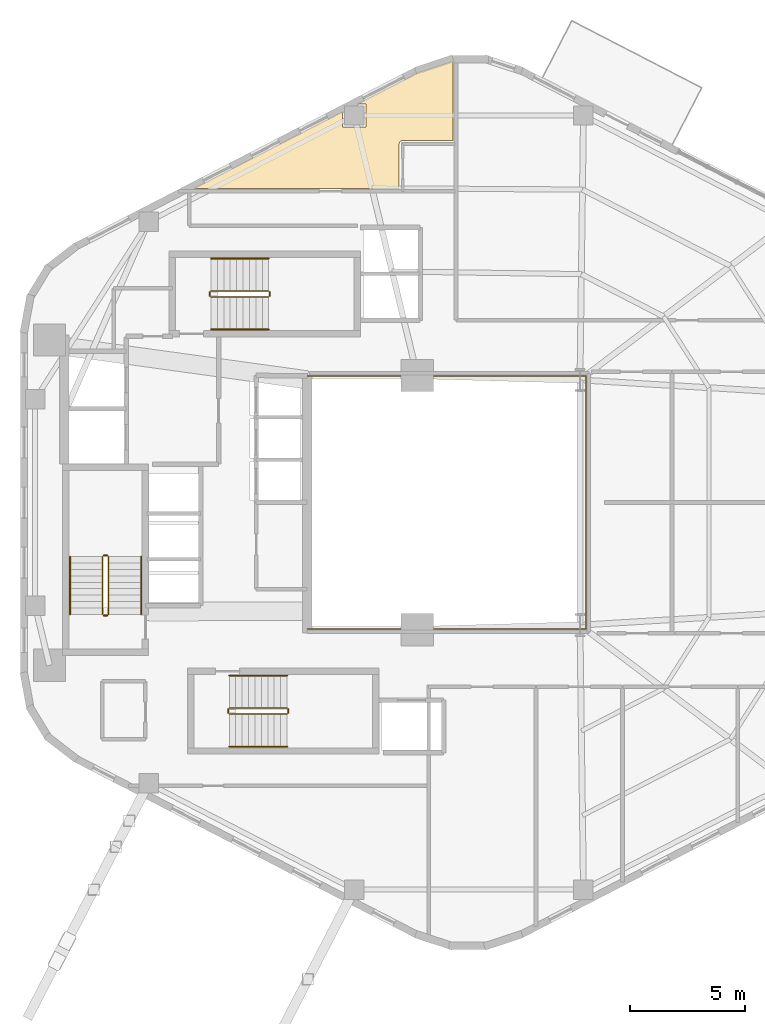
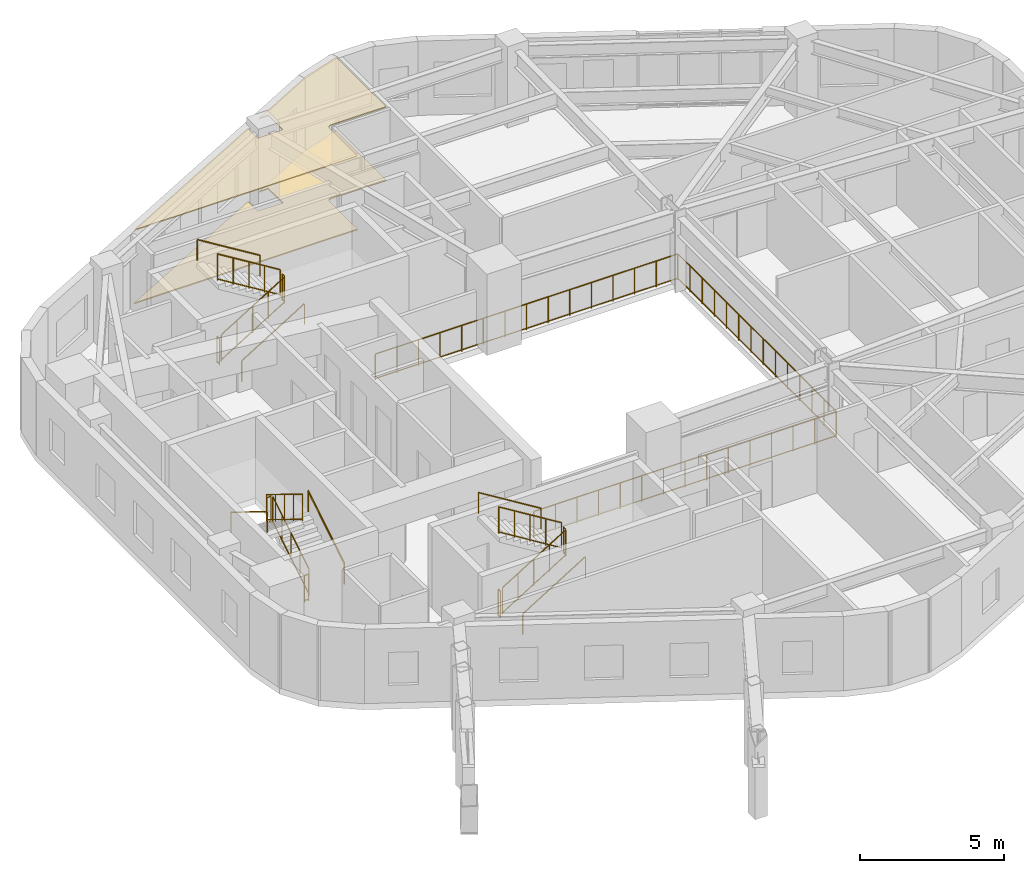
# One storey, part 10 of 11: 19 railings, 2 coverings.
"""IFC4 building model written with IfcOpenShell, lengths in metres."""

from ifc_helpers import new_model, si_unit, direction, frame, origin, origin_2d, place, context, subcontext, project, spatial, polyline, circle, outline, extrude, material, layer, layer_set, type_object, element, save


model = new_model("IFC4")

# Units and contexts
model_context = context("Model", 3, precision=1e-05, world=origin(), true_north=direction((0.0, 1.0)))
body_context = subcontext(model_context, "Body", "Model", "MODEL_VIEW")
ifc_project = project(units=[si_unit("LENGTHUNIT", "METRE"), si_unit("AREAUNIT", "SQUARE_METRE"), si_unit("VOLUMEUNIT", "CUBIC_METRE"), si_unit("PLANEANGLEUNIT", "RADIAN"), si_unit("MASSUNIT", "GRAM", prefix="KILO"), si_unit("THERMODYNAMICTEMPERATUREUNIT", "KELVIN"), si_unit("POWERUNIT", "WATT")], contexts=[model_context])

# Site, building, storey
site_placement = place(None, origin())
site = spatial("IfcSite", under=ifc_project, at=site_placement, CompositionType="ELEMENT")
building_placement = place(site_placement, origin())
building = spatial("IfcBuilding", under=site, at=building_placement, Name="Skarre Station Tower", CompositionType="ELEMENT")
storey_placement = place(building_placement, frame((0.0, 0.0, 170.550048828125)))
storey = spatial("IfcBuildingStorey", under=building, at=storey_placement, Name="L46", CompositionType="ELEMENT", Elevation=170.550048828125)

# Railing
ifc_material_1 = material(Name="Bronze Anodized Steel & Laminated Glass Balustrade", Category="steel")
railing_type_1 = type_object("IfcRailingType", Name="Atrium Void & Mezzanine Guard Balustrade 1120", PredefinedType="GUARDRAIL", material=ifc_material_1)
railing_1_placement = place(storey_placement, frame((27.550048828125, 18.47998046875, 0.0)))
element("IfcRailing", 1, at=railing_1_placement, inside=storey, type_object=railing_type_1, Name="L46 Atrium Void Guard Balustrade", PredefinedType="GUARDRAIL", context=body_context, shape_type="SweptSolid", body=[
    extrude(circle(Radius=0.02392578125, at=origin_2d()), frame((0.0, 0.0, 1.09619140625), z_axis=(1.0, 0.0, 0.0), x_axis=(0.0, 1.0, 0.0)), (0.0, 0.0, 1.0), 12.169921875),
    extrude(circle(Radius=0.02099609375, at=origin_2d()), frame((0.0, 0.0, 0.06005859375), z_axis=(1.0, 0.0, 0.0), x_axis=(0.0, 1.0, 0.0)), (0.0, 0.0, 1.0), 12.169921875),
    extrude(circle(Radius=0.02392578125, at=origin_2d()), frame((12.169921875, 0.0, 1.09619140625), z_axis=(0.0, 1.0, 0.0), x_axis=(-1.0, 0.0, 0.0)), (0.0, 0.0, 1.0), 11.0400390625),
    extrude(circle(Radius=0.02099609375, at=origin_2d()), frame((12.169921875, 0.0, 0.06005859375), z_axis=(0.0, 1.0, 0.0), x_axis=(-1.0, 0.0, 0.0)), (0.0, 0.0, 1.0), 11.0400390625),
    extrude(circle(Radius=0.02392578125, at=origin_2d()), frame((12.169921875, 11.0400390625, 1.09619140625), z_axis=(-1.0, 0.0, 0.0), x_axis=(0.0, -1.0, 0.0)), (0.0, 0.0, 1.0), 12.169921875),
    extrude(circle(Radius=0.02099609375, at=origin_2d()), frame((12.169921875, 11.0400390625, 0.06005859375), z_axis=(-1.0, 0.0, 0.0), x_axis=(0.0, -1.0, 0.0)), (0.0, 0.0, 1.0), 12.169921875),
    extrude(circle(Radius=0.02099609375, at=origin_2d()), origin(), (0.0, 0.0, 1.0), 1.072021484375),
    extrude(circle(Radius=0.02099609375, at=origin_2d()), frame((0.869384765625, 0.0, 0.0)), (0.0, 0.0, 1.0), 1.072021484375),
    extrude(circle(Radius=0.02099609375, at=origin_2d()), frame((1.738525390625, 0.0, 0.0)), (0.0, 0.0, 1.0), 1.072021484375),
    extrude(circle(Radius=0.02099609375, at=origin_2d()), frame((2.60791015625, 0.0, 0.0)), (0.0, 0.0, 1.0), 1.072021484375),
    extrude(circle(Radius=0.02099609375, at=origin_2d()), frame((3.47705078125, 0.0, 0.0)), (0.0, 0.0, 1.0), 1.072021484375),
    extrude(circle(Radius=0.02099609375, at=origin_2d()), frame((4.346435546875, 0.0, 0.0)), (0.0, 0.0, 1.0), 1.072021484375),
    extrude(circle(Radius=0.02099609375, at=origin_2d()), frame((5.215576171875, 0.0, 0.0)), (0.0, 0.0, 1.0), 1.072021484375),
    extrude(circle(Radius=0.02099609375, at=origin_2d()), frame((6.0849609375, 0.0, 0.0)), (0.0, 0.0, 1.0), 1.072021484375),
    extrude(circle(Radius=0.02099609375, at=origin_2d()), frame((6.954345703125, 0.0, 0.0)), (0.0, 0.0, 1.0), 1.072021484375),
    extrude(circle(Radius=0.02099609375, at=origin_2d()), frame((7.823486328125, 0.0, 0.0)), (0.0, 0.0, 1.0), 1.072021484375),
    extrude(circle(Radius=0.02099609375, at=origin_2d()), frame((8.69287109375, 0.0, 0.0)), (0.0, 0.0, 1.0), 1.072021484375),
    extrude(circle(Radius=0.02099609375, at=origin_2d()), frame((9.56201171875, 0.0, 0.0)), (0.0, 0.0, 1.0), 1.072021484375),
    extrude(circle(Radius=0.02099609375, at=origin_2d()), frame((10.431396484375, 0.0, 0.0)), (0.0, 0.0, 1.0), 1.072021484375),
    extrude(circle(Radius=0.02099609375, at=origin_2d()), frame((11.300537109375, 0.0, 0.0)), (0.0, 0.0, 1.0), 1.072021484375),
    extrude(circle(Radius=0.02099609375, at=origin_2d()), frame((12.169921875, 0.0, 0.0)), (0.0, 0.0, 1.0), 1.072021484375),
    extrude(circle(Radius=0.02099609375, at=origin_2d()), frame((12.169921875, 0.84912109375, 0.0)), (0.0, 0.0, 1.0), 1.072021484375),
    extrude(circle(Radius=0.02099609375, at=origin_2d()), frame((12.169921875, 1.698486328125, 0.0)), (0.0, 0.0, 1.0), 1.072021484375),
    extrude(circle(Radius=0.02099609375, at=origin_2d()), frame((12.169921875, 2.547607421875, 0.0)), (0.0, 0.0, 1.0), 1.072021484375),
    extrude(circle(Radius=0.02099609375, at=origin_2d()), frame((12.169921875, 3.39697265625, 0.0)), (0.0, 0.0, 1.0), 1.072021484375),
    extrude(circle(Radius=0.02099609375, at=origin_2d()), frame((12.169921875, 4.24609375, 0.0)), (0.0, 0.0, 1.0), 1.072021484375),
    extrude(circle(Radius=0.02099609375, at=origin_2d()), frame((12.169921875, 5.095458984375, 0.0)), (0.0, 0.0, 1.0), 1.072021484375),
    extrude(circle(Radius=0.02099609375, at=origin_2d()), frame((12.169921875, 5.944580078125, 0.0)), (0.0, 0.0, 1.0), 1.072021484375),
    extrude(circle(Radius=0.02099609375, at=origin_2d()), frame((12.169921875, 6.7939453125, 0.0)), (0.0, 0.0, 1.0), 1.072021484375),
    extrude(circle(Radius=0.02099609375, at=origin_2d()), frame((12.169921875, 7.64306640625, 0.0)), (0.0, 0.0, 1.0), 1.072021484375),
    extrude(circle(Radius=0.02099609375, at=origin_2d()), frame((12.169921875, 8.492431640625, 0.0)), (0.0, 0.0, 1.0), 1.072021484375),
    extrude(circle(Radius=0.02099609375, at=origin_2d()), frame((12.169921875, 9.341552734375, 0.0)), (0.0, 0.0, 1.0), 1.072021484375),
    extrude(circle(Radius=0.02099609375, at=origin_2d()), frame((12.169921875, 10.19091796875, 0.0)), (0.0, 0.0, 1.0), 1.072021484375),
    extrude(circle(Radius=0.02099609375, at=origin_2d()), frame((12.169921875, 11.0400390625, 0.0)), (0.0, 0.0, 1.0), 1.072021484375),
    extrude(circle(Radius=0.02099609375, at=origin_2d()), frame((11.300537109375, 11.0400390625, 0.0)), (0.0, 0.0, 1.0), 1.072021484375),
    extrude(circle(Radius=0.02099609375, at=origin_2d()), frame((10.431396484375, 11.0400390625, 0.0)), (0.0, 0.0, 1.0), 1.072021484375),
    extrude(circle(Radius=0.02099609375, at=origin_2d()), frame((9.56201171875, 11.0400390625, 0.0)), (0.0, 0.0, 1.0), 1.072021484375),
    extrude(circle(Radius=0.02099609375, at=origin_2d()), frame((8.69287109375, 11.0400390625, 0.0)), (0.0, 0.0, 1.0), 1.072021484375),
    extrude(circle(Radius=0.02099609375, at=origin_2d()), frame((7.823486328125, 11.0400390625, 0.0)), (0.0, 0.0, 1.0), 1.072021484375),
    extrude(circle(Radius=0.02099609375, at=origin_2d()), frame((6.954345703125, 11.0400390625, 0.0)), (0.0, 0.0, 1.0), 1.072021484375),
    extrude(circle(Radius=0.02099609375, at=origin_2d()), frame((6.0849609375, 11.0400390625, 0.0)), (0.0, 0.0, 1.0), 1.072021484375),
    extrude(circle(Radius=0.02099609375, at=origin_2d()), frame((5.215576171875, 11.0400390625, 0.0)), (0.0, 0.0, 1.0), 1.072021484375),
    extrude(circle(Radius=0.02099609375, at=origin_2d()), frame((4.346435546875, 11.0400390625, 0.0)), (0.0, 0.0, 1.0), 1.072021484375),
    extrude(circle(Radius=0.02099609375, at=origin_2d()), frame((3.47705078125, 11.0400390625, 0.0)), (0.0, 0.0, 1.0), 1.072021484375),
    extrude(circle(Radius=0.02099609375, at=origin_2d()), frame((2.60791015625, 11.0400390625, 0.0)), (0.0, 0.0, 1.0), 1.072021484375),
    extrude(circle(Radius=0.02099609375, at=origin_2d()), frame((1.738525390625, 11.0400390625, 0.0)), (0.0, 0.0, 1.0), 1.072021484375),
    extrude(circle(Radius=0.02099609375, at=origin_2d()), frame((0.869384765625, 11.0400390625, 0.0)), (0.0, 0.0, 1.0), 1.072021484375),
    extrude(circle(Radius=0.02099609375, at=origin_2d()), frame((0.0, 11.0400390625, 0.0)), (0.0, 0.0, 1.0), 1.072021484375),
])

# Coverings
ifc_material_2 = material(Name="Honed Jura Limestone & Calcium-Sulfate Access Tile", Category="masonry")
ifc_layer_1 = layer(ifc_material_2, 0.050048828125, Name="Honed Jura Limestone & Calcium-Sulfate Access Tile")
ifc_layer_set_1 = layer_set([ifc_layer_1], Name="Honed Jura Limestone & Calcium-Sulfate Access Tile")
covering_type_1 = type_object("IfcCoveringType", Name="Honed Limestone & Raised Access Floor Finish 50", PredefinedType="FLOORING", material=ifc_layer_set_1)
covering_1_placement = place(storey_placement, origin())
element("IfcCovering", 2, at=covering_1_placement, inside=storey, type_object=covering_type_1, Name="L46 Limestone Access Flooring 1", PredefinedType="FLOORING", context=body_context, shape_type="SweptSolid", body=[
    extrude(outline(polyline([(33.919921875, 39.800048828125), (33.919921875, 43.24609375), (33.845947265625, 43.24609375), (32.39208984375, 42.76806640625), (29.72705078125, 41.39306640625), (30.10302734375, 41.39306640625), (30.10302734375, 40.383056640625), (29.093017578125, 40.383056640625), (29.093017578125, 41.06591796875), (22.571044921875, 37.699951171875), (31.56005859375, 37.699951171875), (31.56005859375, 39.639892578125), (31.56005859375, 39.64404296875), (31.56005859375, 39.652099609375), (31.56103515625, 39.659912109375), (31.56201171875, 39.6669921875), (31.56396484375, 39.675048828125), (31.56591796875, 39.68310546875), (31.568115234375, 39.68994140625), (31.571044921875, 39.697998046875), (31.573974609375, 39.705078125), (31.576904296875, 39.7119140625), (31.5810546875, 39.718994140625), (31.5849609375, 39.72607421875), (31.589111328125, 39.73193359375), (31.593994140625, 39.738037109375), (31.59912109375, 39.743896484375), (31.60400390625, 39.75), (31.610107421875, 39.756103515625), (31.615966796875, 39.760986328125), (31.6220703125, 39.76611328125), (31.6279296875, 39.77099609375), (31.634033203125, 39.77490234375), (31.64111328125, 39.779052734375), (31.64794921875, 39.782958984375), (31.655029296875, 39.785888671875), (31.662109375, 39.7890625), (31.669921875, 39.7919921875), (31.677001953125, 39.7939453125), (31.68505859375, 39.7958984375), (31.693115234375, 39.798095703125), (31.699951171875, 39.799072265625), (31.7080078125, 39.800048828125), (31.716064453125, 39.800048828125), (31.719970703125, 39.800048828125), (33.919921875, 39.800048828125)])), origin(), (0.0, 0.0, 1.0), 0.050048828125),
])
ifc_material_3 = material(Name="Perforated Nordic Birch Veneer & Mineral Wool", Category="wood")
ifc_layer_2 = layer(ifc_material_3, 0.044921875, Name="Perforated Nordic Birch Veneer & Mineral Wool")
ifc_layer_set_2 = layer_set([ifc_layer_2], Name="Perforated Nordic Birch Veneer & Mineral Wool")
covering_type_2 = type_object("IfcCoveringType", Name="Nordic Birch Slatted Acoustic Suspended Ceiling 45", PredefinedType="CEILING", material=ifc_layer_set_2)
covering_2_placement = place(storey_placement, frame((0.0, 0.0, 3.114990234375)))
element("IfcCovering", 3, at=covering_2_placement, inside=storey, type_object=covering_type_2, Name="L46 Acoustic Birch Ceiling 1", PredefinedType="CEILING", context=body_context, shape_type="SweptSolid", body=[
    extrude(outline(polyline([(33.919921875, 39.800048828125), (33.919921875, 43.24609375), (33.845947265625, 43.24609375), (32.39208984375, 42.76806640625), (29.72705078125, 41.39306640625), (30.10302734375, 41.39306640625), (30.10302734375, 40.383056640625), (29.093017578125, 40.383056640625), (29.093017578125, 41.06591796875), (22.571044921875, 37.699951171875), (31.56005859375, 37.699951171875), (31.56005859375, 39.639892578125), (31.56005859375, 39.64404296875), (31.56005859375, 39.652099609375), (31.56103515625, 39.659912109375), (31.56201171875, 39.6669921875), (31.56396484375, 39.675048828125), (31.56591796875, 39.68310546875), (31.568115234375, 39.68994140625), (31.571044921875, 39.697998046875), (31.573974609375, 39.705078125), (31.576904296875, 39.7119140625), (31.5810546875, 39.718994140625), (31.5849609375, 39.72607421875), (31.589111328125, 39.73193359375), (31.593994140625, 39.738037109375), (31.59912109375, 39.743896484375), (31.60400390625, 39.75), (31.610107421875, 39.756103515625), (31.615966796875, 39.760986328125), (31.6220703125, 39.76611328125), (31.6279296875, 39.77099609375), (31.634033203125, 39.77490234375), (31.64111328125, 39.779052734375), (31.64794921875, 39.782958984375), (31.655029296875, 39.785888671875), (31.662109375, 39.7890625), (31.669921875, 39.7919921875), (31.677001953125, 39.7939453125), (31.68505859375, 39.7958984375), (31.693115234375, 39.798095703125), (31.699951171875, 39.799072265625), (31.7080078125, 39.800048828125), (31.716064453125, 39.800048828125), (31.719970703125, 39.800048828125), (33.919921875, 39.800048828125)])), origin(), (0.0, 0.0, 1.0), 0.044921875),
])

# Railings
ifc_material_4 = material(Name="Powder-Coated Tubular Steel", Category="steel")
railing_type_2 = type_object("IfcRailingType", Name="Painted Steel Ramp & Stair Handrail 920", PredefinedType="HANDRAIL", material=ifc_material_4)
railing_2_placement = place(storey_placement, frame((20.300048828125, 19.1201171875, 0.17236328125)))
element("IfcRailing", 4, at=railing_2_placement, inside=storey, type_object=railing_type_2, Name="L46 ST-1 stair handrail 1", PredefinedType="HANDRAIL", context=body_context, shape_type="SweptSolid", body=[
    extrude(circle(Radius=0.02392578125, at=origin_2d()), frame((0.0, 0.0, 0.8759765625), z_axis=(0.0, 0.851377800117, 0.52455299205), x_axis=(-1.0, 0.0, 0.0)), (0.0, 0.0, 1.0), 2.959716796875),
    extrude(circle(Radius=0.02099609375, at=origin_2d()), origin(), (0.0, 0.0, 1.0), 0.851806640625),
    extrude(circle(Radius=0.02099609375, at=origin_2d()), frame((0.0, 2.519775390625, 1.552490234375)), (0.0, 0.0, 1.0), 0.851806640625),
])
railing_3_placement = place(storey_placement, frame((17.199951171875, 21.639892578125, 1.8974609375)))
element("IfcRailing", 5, at=railing_3_placement, inside=storey, type_object=railing_type_2, Name="L46 ST-1 stair handrail 2", PredefinedType="HANDRAIL", context=body_context, shape_type="SweptSolid", body=[
    extrude(circle(Radius=0.02392578125, at=origin_2d()), frame((0.0, 0.0, 0.8759765625), z_axis=(0.0, -0.851377800117, 0.52455299205), x_axis=(1.0, 0.0, 0.0)), (0.0, 0.0, 1.0), 2.959716796875),
    extrude(circle(Radius=0.02099609375, at=origin_2d()), origin(), (0.0, 0.0, 1.0), 0.851806640625),
    extrude(circle(Radius=0.02099609375, at=origin_2d()), frame((0.0, -2.519775390625, 1.552490234375)), (0.0, 0.0, 1.0), 0.851806640625),
])
railing_4_placement = place(storey_placement, frame((24.14990234375, 13.35009765625, 0.17236328125)))
element("IfcRailing", 6, at=railing_4_placement, inside=storey, type_object=railing_type_2, Name="L46 ST-2 stair handrail 1", PredefinedType="HANDRAIL", context=body_context, shape_type="SweptSolid", body=[
    extrude(circle(Radius=0.02392578125, at=origin_2d()), frame((0.0, 0.0, 0.8759765625), z_axis=(0.851400495292, 0.0, 0.524516154772), x_axis=(0.0, 1.0, 0.0)), (0.0, 0.0, 1.0), 2.9599609375),
    extrude(circle(Radius=0.02099609375, at=origin_2d()), origin(), (0.0, 0.0, 1.0), 0.851806640625),
    extrude(circle(Radius=0.02099609375, at=origin_2d()), frame((2.52001953125, 0.0, 1.552490234375)), (0.0, 0.0, 1.0), 0.851806640625),
])
railing_5_placement = place(storey_placement, frame((26.669921875, 16.449951171875, 1.8974609375)))
element("IfcRailing", 7, at=railing_5_placement, inside=storey, type_object=railing_type_2, Name="L46 ST-2 stair handrail 2", PredefinedType="HANDRAIL", context=body_context, shape_type="SweptSolid", body=[
    extrude(circle(Radius=0.02392578125, at=origin_2d()), frame((0.0, 0.0, 0.8759765625), z_axis=(-0.851400495292, 0.0, 0.524516154772), x_axis=(0.0, -1.0, 0.0)), (0.0, 0.0, 1.0), 2.9599609375),
    extrude(circle(Radius=0.02099609375, at=origin_2d()), origin(), (0.0, 0.0, 1.0), 0.851806640625),
    extrude(circle(Radius=0.02099609375, at=origin_2d()), frame((-2.52001953125, 0.0, 1.552490234375)), (0.0, 0.0, 1.0), 0.851806640625),
])
railing_6_placement = place(storey_placement, frame((23.35009765625, 31.550048828125, 0.17236328125)))
element("IfcRailing", 8, at=railing_6_placement, inside=storey, type_object=railing_type_2, Name="L46 ST-3 stair handrail 1", PredefinedType="HANDRAIL", context=body_context, shape_type="SweptSolid", body=[
    extrude(circle(Radius=0.02392578125, at=origin_2d()), frame((0.0, 0.0, 0.8759765625), z_axis=(0.851400495292, 0.0, 0.524516154772), x_axis=(0.0, 1.0, 0.0)), (0.0, 0.0, 1.0), 2.9599609375),
    extrude(circle(Radius=0.02099609375, at=origin_2d()), origin(), (0.0, 0.0, 1.0), 0.851806640625),
    extrude(circle(Radius=0.02099609375, at=origin_2d()), frame((2.52001953125, 0.0, 1.552490234375)), (0.0, 0.0, 1.0), 0.851806640625),
])
railing_7_placement = place(storey_placement, frame((25.8701171875, 34.64990234375, 1.8974609375)))
element("IfcRailing", 9, at=railing_7_placement, inside=storey, type_object=railing_type_2, Name="L46 ST-3 stair handrail 2", PredefinedType="HANDRAIL", context=body_context, shape_type="SweptSolid", body=[
    extrude(circle(Radius=0.02392578125, at=origin_2d()), frame((0.0, 0.0, 0.8759765625), z_axis=(-0.851400495292, 0.0, 0.524516154772), x_axis=(0.0, -1.0, 0.0)), (0.0, 0.0, 1.0), 2.9599609375),
    extrude(circle(Radius=0.02099609375, at=origin_2d()), origin(), (0.0, 0.0, 1.0), 0.851806640625),
    extrude(circle(Radius=0.02099609375, at=origin_2d()), frame((-2.52001953125, 0.0, 1.552490234375)), (0.0, 0.0, 1.0), 0.851806640625),
])
railing_type_3 = type_object("IfcRailingType", Name="Painted Steel Stairwell Guardrail 1100", PredefinedType="GUARDRAIL", material=ifc_material_4)
railing_8_placement = place(storey_placement, frame((18.8798828125, 19.1201171875, 0.17236328125)))
element("IfcRailing", 10, at=railing_8_placement, inside=storey, type_object=railing_type_3, Name="L46 ST-1 stair guard 1", PredefinedType="GUARDRAIL", context=body_context, shape_type="SweptSolid", body=[
    extrude(circle(Radius=0.02392578125, at=origin_2d()), frame((0.0, 0.0, 1.1259765625), z_axis=(0.0, 0.851377800117, 0.52455299205), x_axis=(-1.0, 0.0, 0.0)), (0.0, 0.0, 1.0), 2.959716796875),
    extrude(circle(Radius=0.02099609375, at=origin_2d()), frame((0.0, 0.0, 0.06005859375), z_axis=(0.0, 0.851377800117, 0.52455299205), x_axis=(-1.0, 0.0, 0.0)), (0.0, 0.0, 1.0), 2.959716796875),
    extrude(circle(Radius=0.02099609375, at=origin_2d()), origin(), (0.0, 0.0, 1.0), 1.101806640625),
    extrude(circle(Radius=0.02099609375, at=origin_2d()), frame((0.0, 0.6298828125, 0.38818359375)), (0.0, 0.0, 1.0), 1.101806640625),
    extrude(circle(Radius=0.02099609375, at=origin_2d()), frame((0.0, 1.259765625, 0.7763671875)), (0.0, 0.0, 1.0), 1.101806640625),
    extrude(circle(Radius=0.02099609375, at=origin_2d()), frame((0.0, 1.889892578125, 1.164306640625)), (0.0, 0.0, 1.0), 1.101806640625),
    extrude(circle(Radius=0.02099609375, at=origin_2d()), frame((0.0, 2.519775390625, 1.552490234375)), (0.0, 0.0, 1.0), 1.101806640625),
])
railing_9_placement = place(storey_placement, frame((18.830078125, 21.68994140625, 1.724853515625)))
element("IfcRailing", 11, at=railing_9_placement, inside=storey, type_object=railing_type_3, Name="L46 ST-1 stair guard 2", PredefinedType="GUARDRAIL", context=body_context, shape_type="SweptSolid", body=[
    extrude(circle(Radius=0.02392578125, at=origin_2d()), frame((0.0, 0.0, 1.1259765625), z_axis=(-1.0, 0.0, 0.0), x_axis=(0.0, -1.0, 0.0)), (0.0, 0.0, 1.0), 0.16015625),
    extrude(circle(Radius=0.02099609375, at=origin_2d()), frame((0.0, 0.0, 0.06005859375), z_axis=(-1.0, 0.0, 0.0), x_axis=(0.0, -1.0, 0.0)), (0.0, 0.0, 1.0), 0.16015625),
    extrude(circle(Radius=0.02099609375, at=origin_2d()), origin(), (0.0, 0.0, 1.0), 1.101806640625),
    extrude(circle(Radius=0.02099609375, at=origin_2d()), frame((-0.16015625, 0.0, 0.0)), (0.0, 0.0, 1.0), 1.101806640625),
])
railing_10_placement = place(storey_placement, frame((18.6201171875, 21.639892578125, 1.8974609375)))
element("IfcRailing", 12, at=railing_10_placement, inside=storey, type_object=railing_type_3, Name="L46 ST-1 stair guard 3", PredefinedType="GUARDRAIL", context=body_context, shape_type="SweptSolid", body=[
    extrude(circle(Radius=0.02392578125, at=origin_2d()), frame((0.0, 0.0, 1.1259765625), z_axis=(0.0, -0.851377800117, 0.52455299205), x_axis=(1.0, 0.0, 0.0)), (0.0, 0.0, 1.0), 2.959716796875),
    extrude(circle(Radius=0.02099609375, at=origin_2d()), frame((0.0, 0.0, 0.06005859375), z_axis=(0.0, -0.851377800117, 0.52455299205), x_axis=(1.0, 0.0, 0.0)), (0.0, 0.0, 1.0), 2.959716796875),
    extrude(circle(Radius=0.02099609375, at=origin_2d()), origin(), (0.0, 0.0, 1.0), 1.101806640625),
    extrude(circle(Radius=0.02099609375, at=origin_2d()), frame((0.0, -0.6298828125, 0.38818359375)), (0.0, 0.0, 1.0), 1.101806640625),
    extrude(circle(Radius=0.02099609375, at=origin_2d()), frame((0.0, -1.259765625, 0.7763671875)), (0.0, 0.0, 1.0), 1.101806640625),
    extrude(circle(Radius=0.02099609375, at=origin_2d()), frame((0.0, -1.889892578125, 1.164306640625)), (0.0, 0.0, 1.0), 1.101806640625),
    extrude(circle(Radius=0.02099609375, at=origin_2d()), frame((0.0, -2.519775390625, 1.552490234375)), (0.0, 0.0, 1.0), 1.101806640625),
])
railing_11_placement = place(storey_placement, frame((18.830078125, 19.070068359375, 0.0)))
element("IfcRailing", 13, at=railing_11_placement, inside=storey, type_object=railing_type_3, Name="L46 ST-1 stair guard 4", PredefinedType="GUARDRAIL", context=body_context, shape_type="SweptSolid", body=[
    extrude(circle(Radius=0.02392578125, at=origin_2d()), frame((0.0, 0.0, 1.1259765625), z_axis=(-1.0, 0.0, 0.0), x_axis=(0.0, -1.0, 0.0)), (0.0, 0.0, 1.0), 0.16015625),
    extrude(circle(Radius=0.02099609375, at=origin_2d()), frame((0.0, 0.0, 0.06005859375), z_axis=(-1.0, 0.0, 0.0), x_axis=(0.0, -1.0, 0.0)), (0.0, 0.0, 1.0), 0.16015625),
    extrude(circle(Radius=0.02099609375, at=origin_2d()), origin(), (0.0, 0.0, 1.0), 1.101806640625),
    extrude(circle(Radius=0.02099609375, at=origin_2d()), frame((-0.16015625, 0.0, 0.0)), (0.0, 0.0, 1.0), 1.101806640625),
])
railing_12_placement = place(storey_placement, frame((24.14990234375, 14.77001953125, 0.17236328125)))
element("IfcRailing", 14, at=railing_12_placement, inside=storey, type_object=railing_type_3, Name="L46 ST-2 stair guard 1", PredefinedType="GUARDRAIL", context=body_context, shape_type="SweptSolid", body=[
    extrude(circle(Radius=0.02392578125, at=origin_2d()), frame((0.0, 0.0, 1.1259765625), z_axis=(0.851400495292, 0.0, 0.524516154772), x_axis=(0.0, 1.0, 0.0)), (0.0, 0.0, 1.0), 2.9599609375),
    extrude(circle(Radius=0.02099609375, at=origin_2d()), frame((0.0, 0.0, 0.06005859375), z_axis=(0.851400495292, 0.0, 0.524516154772), x_axis=(0.0, 1.0, 0.0)), (0.0, 0.0, 1.0), 2.9599609375),
    extrude(circle(Radius=0.02099609375, at=origin_2d()), origin(), (0.0, 0.0, 1.0), 1.101806640625),
    extrude(circle(Radius=0.02099609375, at=origin_2d()), frame((0.6298828125, 0.0, 0.38818359375)), (0.0, 0.0, 1.0), 1.101806640625),
    extrude(circle(Radius=0.02099609375, at=origin_2d()), frame((1.260009765625, 0.0, 0.7763671875)), (0.0, 0.0, 1.0), 1.101806640625),
    extrude(circle(Radius=0.02099609375, at=origin_2d()), frame((1.89013671875, 0.0, 1.164306640625)), (0.0, 0.0, 1.0), 1.101806640625),
    extrude(circle(Radius=0.02099609375, at=origin_2d()), frame((2.52001953125, 0.0, 1.552490234375)), (0.0, 0.0, 1.0), 1.101806640625),
])
railing_13_placement = place(storey_placement, frame((26.719970703125, 14.820068359375, 1.724853515625)))
element("IfcRailing", 15, at=railing_13_placement, inside=storey, type_object=railing_type_3, Name="L46 ST-2 stair guard 2", PredefinedType="GUARDRAIL", context=body_context, shape_type="SweptSolid", body=[
    extrude(circle(Radius=0.02392578125, at=origin_2d()), frame((0.0, 0.0, 1.1259765625), z_axis=(0.0, 1.0, 0.0), x_axis=(-1.0, 0.0, 0.0)), (0.0, 0.0, 1.0), 0.159912109375),
    extrude(circle(Radius=0.02099609375, at=origin_2d()), frame((0.0, 0.0, 0.06005859375), z_axis=(0.0, 1.0, 0.0), x_axis=(-1.0, 0.0, 0.0)), (0.0, 0.0, 1.0), 0.159912109375),
    extrude(circle(Radius=0.02099609375, at=origin_2d()), origin(), (0.0, 0.0, 1.0), 1.101806640625),
    extrude(circle(Radius=0.02099609375, at=origin_2d()), frame((0.0, 0.159912109375, 0.0)), (0.0, 0.0, 1.0), 1.101806640625),
])
railing_14_placement = place(storey_placement, frame((26.669921875, 15.030029296875, 1.8974609375)))
element("IfcRailing", 16, at=railing_14_placement, inside=storey, type_object=railing_type_3, Name="L46 ST-2 stair guard 3", PredefinedType="GUARDRAIL", context=body_context, shape_type="SweptSolid", body=[
    extrude(circle(Radius=0.02392578125, at=origin_2d()), frame((0.0, 0.0, 1.1259765625), z_axis=(-0.851400495292, 0.0, 0.524516154772), x_axis=(0.0, -1.0, 0.0)), (0.0, 0.0, 1.0), 2.9599609375),
    extrude(circle(Radius=0.02099609375, at=origin_2d()), frame((0.0, 0.0, 0.06005859375), z_axis=(-0.851400495292, 0.0, 0.524516154772), x_axis=(0.0, -1.0, 0.0)), (0.0, 0.0, 1.0), 2.9599609375),
    extrude(circle(Radius=0.02099609375, at=origin_2d()), origin(), (0.0, 0.0, 1.0), 1.101806640625),
    extrude(circle(Radius=0.02099609375, at=origin_2d()), frame((-0.6298828125, 0.0, 0.38818359375)), (0.0, 0.0, 1.0), 1.101806640625),
    extrude(circle(Radius=0.02099609375, at=origin_2d()), frame((-1.260009765625, 0.0, 0.7763671875)), (0.0, 0.0, 1.0), 1.101806640625),
    extrude(circle(Radius=0.02099609375, at=origin_2d()), frame((-1.89013671875, 0.0, 1.164306640625)), (0.0, 0.0, 1.0), 1.101806640625),
    extrude(circle(Radius=0.02099609375, at=origin_2d()), frame((-2.52001953125, 0.0, 1.552490234375)), (0.0, 0.0, 1.0), 1.101806640625),
])
railing_15_placement = place(storey_placement, frame((24.10009765625, 14.820068359375, 0.0)))
element("IfcRailing", 17, at=railing_15_placement, inside=storey, type_object=railing_type_3, Name="L46 ST-2 stair guard 4", PredefinedType="GUARDRAIL", context=body_context, shape_type="SweptSolid", body=[
    extrude(circle(Radius=0.02392578125, at=origin_2d()), frame((0.0, 0.0, 1.1259765625), z_axis=(0.0, 1.0, 0.0), x_axis=(-1.0, 0.0, 0.0)), (0.0, 0.0, 1.0), 0.159912109375),
    extrude(circle(Radius=0.02099609375, at=origin_2d()), frame((0.0, 0.0, 0.06005859375), z_axis=(0.0, 1.0, 0.0), x_axis=(-1.0, 0.0, 0.0)), (0.0, 0.0, 1.0), 0.159912109375),
    extrude(circle(Radius=0.02099609375, at=origin_2d()), origin(), (0.0, 0.0, 1.0), 1.101806640625),
    extrude(circle(Radius=0.02099609375, at=origin_2d()), frame((0.0, 0.159912109375, 0.0)), (0.0, 0.0, 1.0), 1.101806640625),
])
railing_16_placement = place(storey_placement, frame((23.35009765625, 32.969970703125, 0.17236328125)))
element("IfcRailing", 18, at=railing_16_placement, inside=storey, type_object=railing_type_3, Name="L46 ST-3 stair guard 1", PredefinedType="GUARDRAIL", context=body_context, shape_type="SweptSolid", body=[
    extrude(circle(Radius=0.02392578125, at=origin_2d()), frame((0.0, 0.0, 1.1259765625), z_axis=(0.851400495292, 0.0, 0.524516154772), x_axis=(0.0, 1.0, 0.0)), (0.0, 0.0, 1.0), 2.9599609375),
    extrude(circle(Radius=0.02099609375, at=origin_2d()), frame((0.0, 0.0, 0.06005859375), z_axis=(0.851400495292, 0.0, 0.524516154772), x_axis=(0.0, 1.0, 0.0)), (0.0, 0.0, 1.0), 2.9599609375),
    extrude(circle(Radius=0.02099609375, at=origin_2d()), origin(), (0.0, 0.0, 1.0), 1.101806640625),
    extrude(circle(Radius=0.02099609375, at=origin_2d()), frame((0.6298828125, 0.0, 0.38818359375)), (0.0, 0.0, 1.0), 1.101806640625),
    extrude(circle(Radius=0.02099609375, at=origin_2d()), frame((1.260009765625, 0.0, 0.7763671875)), (0.0, 0.0, 1.0), 1.101806640625),
    extrude(circle(Radius=0.02099609375, at=origin_2d()), frame((1.89013671875, 0.0, 1.164306640625)), (0.0, 0.0, 1.0), 1.101806640625),
    extrude(circle(Radius=0.02099609375, at=origin_2d()), frame((2.52001953125, 0.0, 1.552490234375)), (0.0, 0.0, 1.0), 1.101806640625),
])
railing_17_placement = place(storey_placement, frame((25.919921875, 33.02001953125, 1.724853515625)))
element("IfcRailing", 19, at=railing_17_placement, inside=storey, type_object=railing_type_3, Name="L46 ST-3 stair guard 2", PredefinedType="GUARDRAIL", context=body_context, shape_type="SweptSolid", body=[
    extrude(circle(Radius=0.02392578125, at=origin_2d()), frame((0.0, 0.0, 1.1259765625), z_axis=(0.0, 1.0, 0.0), x_axis=(-1.0, 0.0, 0.0)), (0.0, 0.0, 1.0), 0.159912109375),
    extrude(circle(Radius=0.02099609375, at=origin_2d()), frame((0.0, 0.0, 0.06005859375), z_axis=(0.0, 1.0, 0.0), x_axis=(-1.0, 0.0, 0.0)), (0.0, 0.0, 1.0), 0.159912109375),
    extrude(circle(Radius=0.02099609375, at=origin_2d()), origin(), (0.0, 0.0, 1.0), 1.101806640625),
    extrude(circle(Radius=0.02099609375, at=origin_2d()), frame((0.0, 0.159912109375, 0.0)), (0.0, 0.0, 1.0), 1.101806640625),
])
railing_18_placement = place(storey_placement, frame((25.8701171875, 33.22998046875, 1.8974609375)))
element("IfcRailing", 20, at=railing_18_placement, inside=storey, type_object=railing_type_3, Name="L46 ST-3 stair guard 3", PredefinedType="GUARDRAIL", context=body_context, shape_type="SweptSolid", body=[
    extrude(circle(Radius=0.02392578125, at=origin_2d()), frame((0.0, 0.0, 1.1259765625), z_axis=(-0.851400495292, 0.0, 0.524516154772), x_axis=(0.0, -1.0, 0.0)), (0.0, 0.0, 1.0), 2.9599609375),
    extrude(circle(Radius=0.02099609375, at=origin_2d()), frame((0.0, 0.0, 0.06005859375), z_axis=(-0.851400495292, 0.0, 0.524516154772), x_axis=(0.0, -1.0, 0.0)), (0.0, 0.0, 1.0), 2.9599609375),
    extrude(circle(Radius=0.02099609375, at=origin_2d()), origin(), (0.0, 0.0, 1.0), 1.101806640625),
    extrude(circle(Radius=0.02099609375, at=origin_2d()), frame((-0.6298828125, 0.0, 0.38818359375)), (0.0, 0.0, 1.0), 1.101806640625),
    extrude(circle(Radius=0.02099609375, at=origin_2d()), frame((-1.260009765625, 0.0, 0.7763671875)), (0.0, 0.0, 1.0), 1.101806640625),
    extrude(circle(Radius=0.02099609375, at=origin_2d()), frame((-1.89013671875, 0.0, 1.164306640625)), (0.0, 0.0, 1.0), 1.101806640625),
    extrude(circle(Radius=0.02099609375, at=origin_2d()), frame((-2.52001953125, 0.0, 1.552490234375)), (0.0, 0.0, 1.0), 1.101806640625),
])
railing_19_placement = place(storey_placement, frame((23.300048828125, 33.02001953125, 0.0)))
element("IfcRailing", 21, at=railing_19_placement, inside=storey, type_object=railing_type_3, Name="L46 ST-3 stair guard 4", PredefinedType="GUARDRAIL", context=body_context, shape_type="SweptSolid", body=[
    extrude(circle(Radius=0.02392578125, at=origin_2d()), frame((0.0, 0.0, 1.1259765625), z_axis=(0.0, 1.0, 0.0), x_axis=(-1.0, 0.0, 0.0)), (0.0, 0.0, 1.0), 0.159912109375),
    extrude(circle(Radius=0.02099609375, at=origin_2d()), frame((0.0, 0.0, 0.06005859375), z_axis=(0.0, 1.0, 0.0), x_axis=(-1.0, 0.0, 0.0)), (0.0, 0.0, 1.0), 0.159912109375),
    extrude(circle(Radius=0.02099609375, at=origin_2d()), origin(), (0.0, 0.0, 1.0), 1.101806640625),
    extrude(circle(Radius=0.02099609375, at=origin_2d()), frame((0.0, 0.159912109375, 0.0)), (0.0, 0.0, 1.0), 1.101806640625),
])

save(model, "model.ifc")
